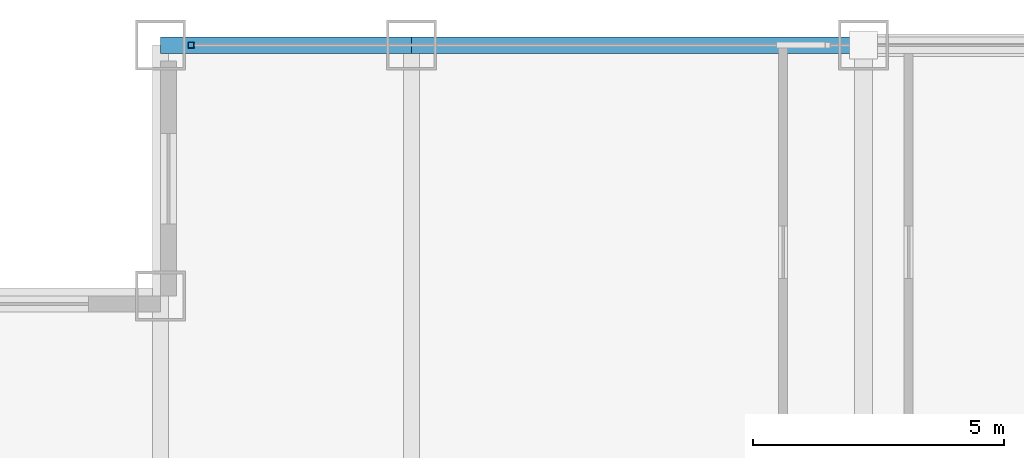
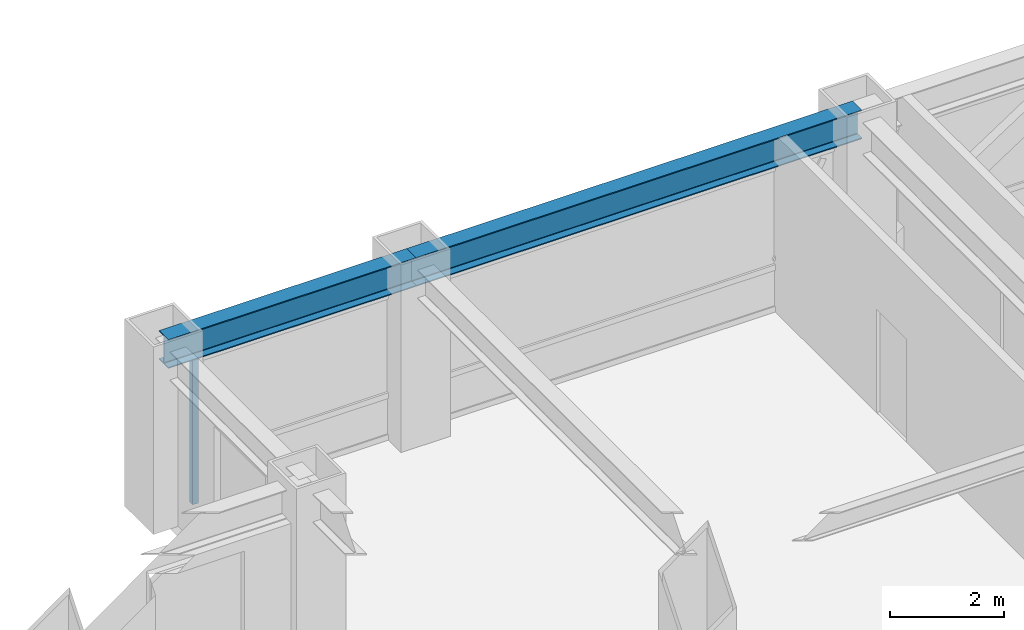
# One storey, part 14 of 24: 2 beams, 1 member, 1 element without a shape of its own.
"""IFC4 building model written with IfcOpenShell, lengths in metres."""

from ifc_helpers import new_model, si_unit, direction, frame, origin, origin_2d, place, context, subcontext, project, spatial, hollow_rectangle, i_section, extrude, source, transform, mapped, material, material_profile, profile_set, type_object, element, aggregate, save


model = new_model("IFC4")

# Units and contexts
model_context = context("Model", 3, precision=1e-05, world=origin(), true_north=direction((0.0, 1.0)))
body_context = subcontext(model_context, "Body", "Model", "MODEL_VIEW")
ifc_project = project(units=[si_unit("LENGTHUNIT", "METRE"), si_unit("AREAUNIT", "SQUARE_METRE"), si_unit("VOLUMEUNIT", "CUBIC_METRE"), si_unit("PLANEANGLEUNIT", "RADIAN"), si_unit("MASSUNIT", "GRAM", prefix="KILO")], contexts=[model_context])

# Site, building, storey
site_placement = place(None, origin())
site = spatial("IfcSite", under=ifc_project, at=site_placement, CompositionType="ELEMENT")
building_placement = place(site_placement, origin())
building = spatial("IfcBuilding", under=site, at=building_placement, Name="Khorayat Bourse Tower", CompositionType="ELEMENT")
storey_placement = place(building_placement, frame((0.0, 0.0, 215.10009765625)))
storey = spatial("IfcBuildingStorey", under=building, at=storey_placement, Name="L50", CompositionType="ELEMENT", Elevation=215.10009765625)

# Beams
ifc_material_1 = material(Name="Steel ASTM A992 Grade 50", Category="steel")
ifc_material_profile_1 = material_profile(ifc_material_1, i_section(OverallWidth=0.324951171875, OverallDepth=0.615966796875, WebThickness=0.013916015625, FlangeThickness=0.021484375, FilletRadius=0.01611328125, at=origin_2d()), Name="W610X174")
ifc_profile_set_1 = profile_set([ifc_material_profile_1], Name="Steel ASTM A992 Grade 50")
beam_type = type_object("IfcBeamType", Name="BM-SPAN-610", PredefinedType="SPANDREL", material=ifc_profile_set_1)
shared_shape_1 = source(origin(), body_context, "Body", "SweptSolid", [
    extrude(i_section(OverallWidth=0.324951171875, OverallDepth=0.615966796875, WebThickness=0.013916015625, FlangeThickness=0.021484375, FilletRadius=0.01611328125, at=origin_2d()), origin(), (0.0, 0.0, 1.0), 9.0),
])
beam_1_placement = place(storey_placement, frame((-20.0, 30.0, 3.471923828125), z_axis=(1.0, 0.0, 0.0), x_axis=(0.0, 1.0, 0.0)))
element("IfcBeam", 1, at=beam_1_placement, inside=storey, type_object=beam_type, Name="L50 BM-SPAN-610 BM-L50-SPN-050", PredefinedType="SPANDREL", context=body_context, shape_type="MappedRepresentation", body=[
    mapped(shared_shape_1, transform((0.0, 0.0, 0.0), scale=1.0)),
])
shared_shape_2 = source(origin(), body_context, "Body", "SweptSolid", [
    extrude(i_section(OverallWidth=0.324951171875, OverallDepth=0.615966796875, WebThickness=0.013916015625, FlangeThickness=0.021484375, FilletRadius=0.01611328125, at=origin_2d()), origin(), (0.0, 0.0, 1.0), 5.0),
])
beam_2_placement = place(storey_placement, frame((-25.0, 30.0, 3.471923828125), z_axis=(1.0, 0.0, 0.0), x_axis=(0.0, 1.0, 0.0)))
element("IfcBeam", 2, at=beam_2_placement, inside=storey, type_object=beam_type, Name="L50 BM-SPAN-610 BM-L50-SPN-051", PredefinedType="SPANDREL", context=body_context, shape_type="MappedRepresentation", body=[
    mapped(shared_shape_2, transform((0.0, 0.0, 0.0), scale=1.0)),
])

# Curtain wall, member
ifc_material_2 = material(Name="Aluminium EN AW-6063 T6", Category="aluminium")
curtain_wall_type = type_object("IfcCurtainWallType", Name="CW-SYS-03", PredefinedType="NOTDEFINED", material=ifc_material_2)
curtain_wall_placement = place(storey_placement, origin())
curtain_wall = element("IfcCurtainWall", 3, at=curtain_wall_placement, inside=storey, type_object=curtain_wall_type, Name="L50 Curtain Wall CW-L50-N1", PredefinedType="NOTDEFINED")
ifc_material_profile_2 = material_profile(ifc_material_2, hollow_rectangle(XDim=0.1201171875, YDim=0.1201171875, WallThickness=0.0048828125, at=origin_2d()), Name="ALU 120x120x5")
ifc_profile_set_2 = profile_set([ifc_material_profile_2], Name="Aluminium EN AW-6063 T6")
member_type = type_object("IfcMemberType", Name="CWM-VERT-120", PredefinedType="MULLION", material=ifc_profile_set_2)
shared_shape_3 = source(origin(), body_context, "Body", "SweptSolid", [
    extrude(hollow_rectangle(XDim=0.1201171875, YDim=0.1201171875, WallThickness=0.0048828125, at=origin_2d()), origin(), (0.0, 0.0, 1.0), 3.1298828125),
])
member_placement = place(storey_placement, frame((-24.389892578125, 30.0, 0.0), z_axis=(0.0, 0.0, 1.0), x_axis=(0.0, 1.0, 0.0)))
member = element("IfcMember", 4, at=member_placement, type_object=member_type, Name="CW-L50-N1 Vertical Mullion 1", PredefinedType="MULLION", context=body_context, shape_type="MappedRepresentation", body=[
    mapped(shared_shape_3, transform((0.0, 0.0, 0.0), scale=1.0)),
])
aggregate(curtain_wall, [member])

save(model, "model.ifc")
